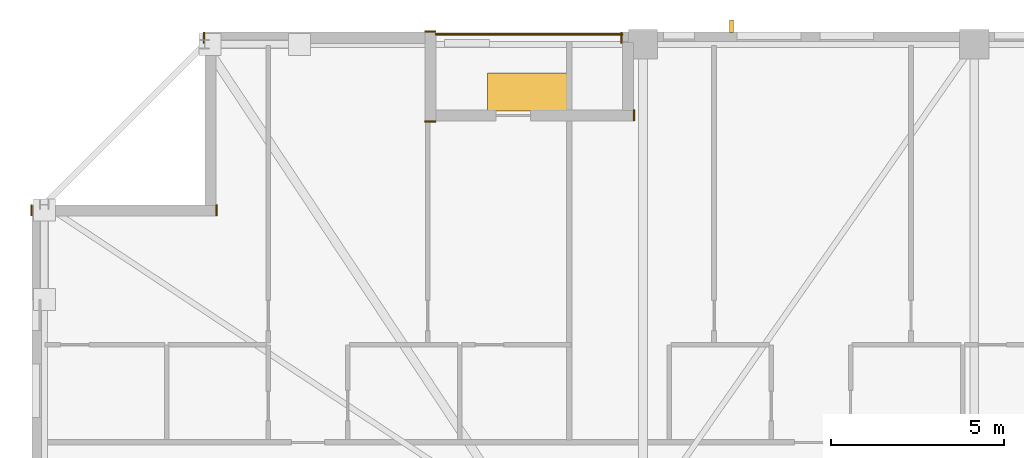
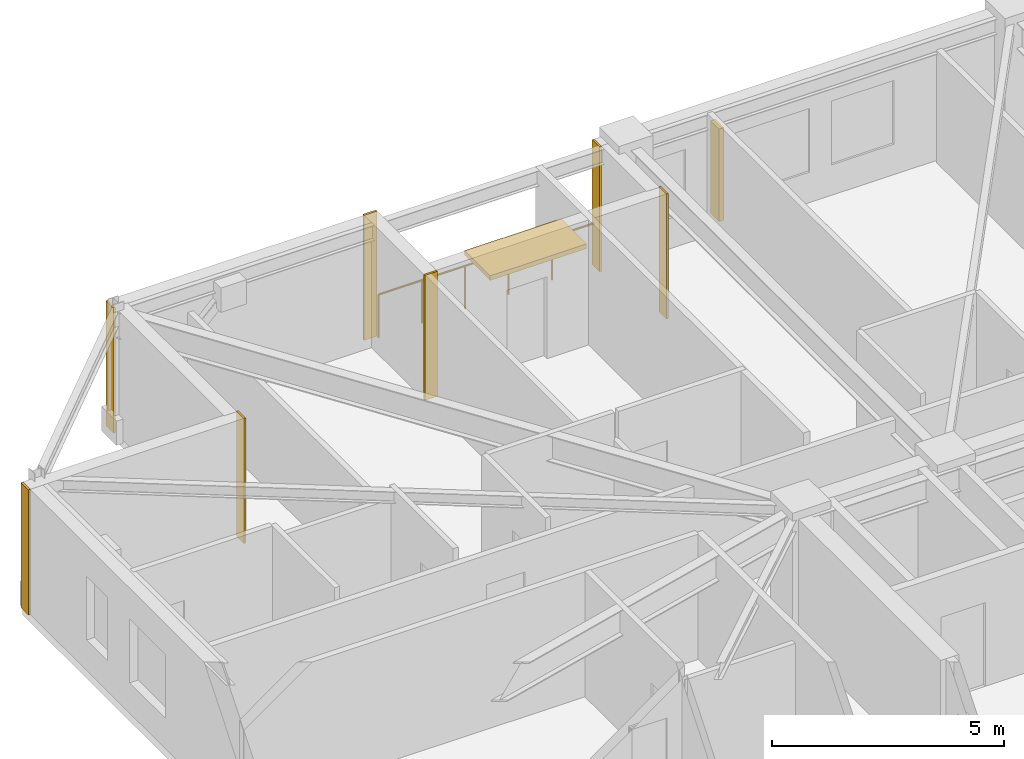
# One storey, part 16 of 17: 7 coverings, 2 shading devices, 1 railing.
"""IFC4 building model written with IfcOpenShell, lengths in metres."""

import ifcopenshell
import ifcopenshell.guid

model = None  # the IFC model being written
_history = None  # IfcOwnerHistory: only IFC2X3 demands one
_inside = {}  # id of a spatial element -> (the spatial element, [elements in it])
_under = {}  # id of a project, library or spatial element -> (it, [spatial elements below it])
_declared = {}  # id of a project -> (the project, [libraries it declares])
_typed = {}  # id of a type object -> (the type object, [elements of that type])
_made_of = {}  # id of a material, layer set ... -> (it, [elements and type objects made of it])


def new_model(schema):
    """Start an empty IFC model of exactly this schema.

    Asked for "IFC4X3", IfcOpenShell would pick the latest addendum, in which some entities
    have other attributes; the version numbers below select the first issue.
    IFC2X3 requires an IfcOwnerHistory on every rooted entity: one is made here for all.
    """
    global model, _history
    if schema == "IFC4X3":
        model = ifcopenshell.file(schema_version=(4, 3, 0, 0))
    else:
        model = ifcopenshell.file(schema=schema)
    _inside.clear()
    _under.clear()
    _declared.clear()
    _typed.clear()
    _made_of.clear()
    _history = None
    if model.schema == "IFC2X3":
        org = make("IfcOrganization", Name="unknown")
        user = make(
            "IfcPersonAndOrganization",
            ThePerson=make("IfcPerson", FamilyName="unknown"),
            TheOrganization=org,
        )
        app = make(
            "IfcApplication",
            ApplicationDeveloper=org,
            Version="unknown",
            ApplicationFullName="unknown",
            ApplicationIdentifier="unknown",
        )
        _history = make(
            "IfcOwnerHistory",
            OwningUser=user,
            OwningApplication=app,
            ChangeAction="ADDED",
            CreationDate=0,
        )
    return model


def make(cls, **values):
    """One entity of the class cls with the attributes given. An attribute that is None is left unset."""
    return model.create_entity(
        cls, **{name: value for name, value in values.items() if value is not None}
    )


def rooted(cls, **values):
    """An entity with a GlobalId (a new one), such as an element, a storey or a relation."""
    return make(cls, GlobalId=ifcopenshell.guid.new(), OwnerHistory=_history, **values)


def si_unit(unit_type, name, prefix=None):
    """IfcSIUnit, for example si_unit("LENGTHUNIT", "METRE", prefix="MILLI")."""
    return make("IfcSIUnit", UnitType=unit_type, Prefix=prefix, Name=name)


def assignment(units):
    """IfcUnitAssignment: the units of a project."""
    return None if units is None else make("IfcUnitAssignment", Units=units)


def point(xyz):
    """IfcCartesianPoint."""
    return None if xyz is None else make("IfcCartesianPoint", Coordinates=xyz)


def direction(xyz):
    """IfcDirection."""
    return None if xyz is None else make("IfcDirection", DirectionRatios=xyz)


def frame(location, z_axis=None, x_axis=None):
    """IfcAxis2Placement3D, a coordinate frame: its origin and axes. An axis left out is left unset."""
    return make(
        "IfcAxis2Placement3D",
        Location=point(location),
        Axis=direction(z_axis),
        RefDirection=direction(x_axis),
    )


def frame_2d(location, x_axis=None):
    """IfcAxis2Placement2D, a coordinate frame in the plane: its origin and x axis."""
    return make(
        "IfcAxis2Placement2D", Location=point(location), RefDirection=direction(x_axis)
    )


def origin():
    """The frame at (0, 0, 0) with its axes left unset."""
    return frame((0.0, 0.0, 0.0))


def origin_2d():
    """The frame at (0, 0) in the plane with its x axis left unset."""
    return frame_2d((0.0, 0.0))


def place(relative_to, where):
    """IfcLocalPlacement: puts the frame where relative to a parent placement (None: the world)."""
    return make(
        "IfcLocalPlacement", PlacementRelTo=relative_to, RelativePlacement=where
    )


def context(
    kind, dimensions, precision=None, world=None, true_north=None, identifier=None
):
    """IfcGeometricRepresentationContext, for example the 3D "Model" context."""
    return make(
        "IfcGeometricRepresentationContext",
        ContextIdentifier=identifier,
        ContextType=kind,
        CoordinateSpaceDimension=dimensions,
        Precision=precision,
        WorldCoordinateSystem=world,
        TrueNorth=true_north,
    )


def subcontext(parent, identifier, kind, view, scale=None):
    """IfcGeometricRepresentationSubContext, for example "Body" below "Model"."""
    return make(
        "IfcGeometricRepresentationSubContext",
        ContextIdentifier=identifier,
        ContextType=kind,
        ParentContext=parent,
        TargetScale=scale,
        TargetView=view,
    )


def project(units=None, contexts=None):
    """IfcProject with its units and contexts."""
    return rooted(
        "IfcProject",
        Name="project",
        RepresentationContexts=contexts,
        UnitsInContext=assignment(units),
    )


def spatial(cls, under=None, at=None, **own):
    """A site, building, storey or space (cls), placed at a placement, below another one or the project."""
    s = rooted(cls, ObjectPlacement=at, **own)
    if under is not None:
        _under.setdefault(under.id(), (under, []))[1].append(s)
    return s


def profile(cls, at=None, kind="AREA", **sizes):
    """A parametric profile (cls). Its sizes go by their IFC names, for example OverallWidth=200.0."""
    return make(cls, ProfileType=kind, Position=at, **sizes)


def rectangle(**sizes):
    """IfcRectangleProfileDef."""
    return profile("IfcRectangleProfileDef", **sizes)


def circle(**sizes):
    """IfcCircleProfileDef."""
    return profile("IfcCircleProfileDef", **sizes)


def extrude(swept, where, along, depth):
    """IfcExtrudedAreaSolid: the profile swept, set in the frame where, extruded along a direction by depth."""
    return make(
        "IfcExtrudedAreaSolid",
        SweptArea=swept,
        Position=where,
        ExtrudedDirection=direction(along),
        Depth=depth,
    )


def shape(context_of_items, identifier, shape_type, items):
    """IfcShapeRepresentation: the items that make up one representation, for example the "Body"."""
    return make(
        "IfcShapeRepresentation",
        ContextOfItems=context_of_items,
        RepresentationIdentifier=identifier,
        RepresentationType=shape_type,
        Items=items,
    )


def material(Name=None, Category=None):
    """IfcMaterial."""
    return make("IfcMaterial", Name=Name, Category=Category)


def layer(
    of_material, thickness, ventilated=None, Name=None, Category=None, Priority=None
):
    """IfcMaterialLayer: one layer of a wall or slab, of a material (None: an air gap)."""
    return make(
        "IfcMaterialLayer",
        Material=of_material,
        LayerThickness=thickness,
        IsVentilated=ventilated,
        Name=Name,
        Category=Category,
        Priority=Priority,
    )


def layer_set(layers, Name=None):
    """IfcMaterialLayerSet."""
    return make("IfcMaterialLayerSet", MaterialLayers=layers, LayerSetName=Name)


def made_of(thing, what):
    """Note that an element or type object is made of a material, layer set ...; save() writes the relation."""
    if what is not None:
        _made_of.setdefault(what.id(), (what, []))[1].append(thing)
    return thing


def type_object(cls, material=None, **own):
    """A type object (cls), such as IfcWallType, which elements share."""
    return made_of(rooted(cls, **own), material)


def element(
    cls,
    number,
    at=None,
    inside=None,
    cuts=None,
    type_object=None,
    material=None,
    context=None,
    identifier="Body",
    shape_type=None,
    held_by="IfcProductDefinitionShape",
    body=None,
    shapes=None,
    **own,
):
    """One element of the class cls, such as IfcWall. Its Tag is "e" and its number.

    at: its placement. inside: the storey or other place that contains it. cuts: it is an
    opening in that element (IfcRelVoidsElement). A single representation is given by context,
    identifier, shape_type and body (its items); several are given by shapes. held_by: the class
    of the entity that holds the representations. save() writes the other relations.
    """
    e = rooted(cls, Tag="e%d" % number, ObjectPlacement=at, **own)
    if body is not None:
        shapes = [shape(context, identifier, shape_type, body)]
    if shapes is not None:
        e.Representation = make(held_by, Representations=shapes)
    if inside is not None:
        _inside.setdefault(inside.id(), (inside, []))[1].append(e)
    if cuts is not None:
        rooted(
            "IfcRelVoidsElement", RelatingBuildingElement=cuts, RelatedOpeningElement=e
        )
    if type_object is not None:
        _typed.setdefault(type_object.id(), (type_object, []))[1].append(e)
    return made_of(e, material)


def aggregate(whole, parts):
    """IfcRelAggregates: a whole, such as a stair, and the parts it consists of."""
    return rooted("IfcRelAggregates", RelatingObject=whole, RelatedObjects=parts)


def save(model, path):
    """Write the relations noted so far, then the file.

    IfcRelAggregates (storeys below a building ...), IfcRelContainedInSpatialStructure (elements
    in a storey), IfcRelDefinesByType, IfcRelAssociatesMaterial and IfcRelDeclares: one each for
    every whole, place, type object, material and project.
    """
    for whole, parts in _under.values():
        aggregate(whole, parts)
    for where, things in _inside.values():
        rooted(
            "IfcRelContainedInSpatialStructure",
            RelatedElements=things,
            RelatingStructure=where,
        )
    for kind, things in _typed.values():
        rooted("IfcRelDefinesByType", RelatedObjects=things, RelatingType=kind)
    for what, things in _made_of.values():
        rooted("IfcRelAssociatesMaterial", RelatedObjects=things, RelatingMaterial=what)
    for by, libraries in _declared.values():
        rooted("IfcRelDeclares", RelatingContext=by, RelatedDefinitions=libraries)
    model.write(path)


model = new_model("IFC4")

# Units and contexts
model_context = context("Model", 3, precision=1e-05, world=origin(), true_north=direction((0.0, 1.0)))
body_context = subcontext(model_context, "Body", "Model", "MODEL_VIEW")
ifc_project = project(units=[si_unit("LENGTHUNIT", "METRE"), si_unit("AREAUNIT", "SQUARE_METRE"), si_unit("VOLUMEUNIT", "CUBIC_METRE"), si_unit("PLANEANGLEUNIT", "RADIAN"), si_unit("MASSUNIT", "GRAM", prefix="KILO")], contexts=[model_context])

# Site, building, storey
site_placement = place(None, origin())
site = spatial("IfcSite", under=ifc_project, at=site_placement, CompositionType="ELEMENT")
building_placement = place(site_placement, origin())
building = spatial("IfcBuilding", under=site, at=building_placement, Name="Cairnveth Concourse Tower", CompositionType="ELEMENT")
storey_placement = place(building_placement, frame((0.0, 0.0, 223.5)))
storey = spatial("IfcBuildingStorey", under=building, at=storey_placement, Name="L61", CompositionType="ELEMENT", Elevation=223.5)

# Coverings
ifc_material_1 = material(Name="Dressed Melbourne Bluestone Cladding", Category="masonry")
ifc_layer = layer(ifc_material_1, 0.050048828125)
ifc_layer_set = layer_set([ifc_layer], Name="Dressed Melbourne Bluestone Cladding")
covering_type = type_object("IfcCoveringType", Name="DRESSED BLUESTONE PLINTH CLADDING 50", PredefinedType="CLADDING", material=ifc_layer_set)
for number, where, z_axis, x_axis, name in (
    (1, (46.580078125, 61.179931640625, 0.0), (0.0, 0.0, 1.0), (0.0, 1.0, 0.0), "Melbourne Bluestone Corner Quoin L61-911"),
    (2, (29.47998046875, 56.179931640625, 0.0), (0.0, 0.0, 1.0), (0.0, 1.0, 0.0), "Melbourne Bluestone Corner Quoin L61-921"),
    (3, (34.840087890625, 56.179931640625, 0.0), (0.0, 0.0, 1.0), (0.0, 1.0, 0.0), "Melbourne Bluestone Corner Quoin L61-922"),
    (4, (34.47998046875, 61.179931640625, 0.0), (0.0, 0.0, 1.0), (0.0, 1.0, 0.0), "Melbourne Bluestone Corner Quoin L61-923"),
    (5, (40.8798828125, 61.52001953125, 0.0), (0.0, 0.0, 1.0), (1.0, 0.0, 0.0), "Melbourne Bluestone Corner Quoin L61-924"),
    (6, (40.8798828125, 58.909912109375, 0.0), (0.0, 0.0, 1.0), (1.0, 0.0, 0.0), "Melbourne Bluestone Corner Quoin L61-925"),
    (7, (46.93994140625, 58.929931640625, 0.0), (0.0, 0.0, 1.0), (0.0, 1.0, 0.0), "Melbourne Bluestone Corner Quoin L61-926"),
):
    element("IfcCovering", number, at=place(storey_placement, frame(where, z_axis=z_axis, x_axis=x_axis)), inside=storey, type_object=covering_type, Name=name, PredefinedType="CLADDING", context=body_context, shape_type="SweptSolid", body=[
        extrude(rectangle(XDim=0.320068359375, YDim=0.050048828125, at=frame_2d((0.16015625, 0.0))), origin(), (0.0, 0.0, 1.0), 3.2900390625),
    ])

# Shading devices
ifc_material_2 = material(Name="Architectural Bronze Anodised Aluminium 6063-T6", Category="aluminium")
shading_device_type_1 = type_object("IfcShadingDeviceType", Name="GOTHIC BRONZE VERTICAL LANCET FIN", PredefinedType="USERDEFINED", material=ifc_material_2)
shading_device_1_placement = place(storey_placement, frame((49.76513671875, 61.675048828125, 0.030029296875), z_axis=(0.0, 0.0, 1.0), x_axis=(1.0, 0.0, 0.0)))
element("IfcShadingDevice", 8, at=shading_device_1_placement, inside=storey, type_object=shading_device_type_1, Name="Gothic Bronze Vertical Fin L61-0-1", ObjectType="VERTICAL FIN", PredefinedType="USERDEFINED", context=body_context, shape_type="SweptSolid", body=[
    extrude(rectangle(XDim=0.1201171875, YDim=0.360107421875, at=origin_2d()), origin(), (0.0, 0.0, 1.0), 2.43798828125),
])
shading_device_type_2 = type_object("IfcShadingDeviceType", Name="SPIRAL TERRACE SUNSHADE CANOPY", PredefinedType="USERDEFINED", material=ifc_material_2)
shading_device_2_placement = place(storey_placement, frame((43.89990234375, 59.77001953125, 2.31787109375), z_axis=(0.0, 0.0, 1.0), x_axis=(1.0, 0.0, 0.0)))
element("IfcShadingDevice", 9, at=shading_device_2_placement, inside=storey, type_object=shading_device_type_2, Name="Spiral Terrace Sunshade L61", ObjectType="TERRACE SUNSHADE", PredefinedType="USERDEFINED", context=body_context, shape_type="SweptSolid", body=[
    extrude(rectangle(XDim=2.39990234375, YDim=1.10009765625, at=origin_2d()), origin(), (0.0, 0.0, 1.0), 0.1201171875),
])

# Railing
railing_type = type_object("IfcRailingType", Name="TERRACE BRONZE BALUSTRADE 1150", PredefinedType="BALUSTRADE", material=ifc_material_2)
railing_placement = place(storey_placement, frame((41.199951171875, 61.43994140625, 0.0)))
element("IfcRailing", 10, at=railing_placement, inside=storey, type_object=railing_type, Name="Terrace Balustrade RL-L61-TERR", PredefinedType="BALUSTRADE", context=body_context, shape_type="SweptSolid", body=[
    extrude(circle(Radius=0.02490234375, at=origin_2d()), frame((0.0, 0.0, 1.125), z_axis=(1.0, 0.0, 0.0), x_axis=(0.0, 1.0, 0.0)), (0.0, 0.0, 1.0), 5.400146484375),
    extrude(circle(Radius=0.02099609375, at=origin_2d()), origin(), (0.0, 0.0, 1.0), 1.099853515625),
    extrude(circle(Radius=0.02099609375, at=origin_2d()), frame((1.080078125, 0.0, 0.0)), (0.0, 0.0, 1.0), 1.099853515625),
    extrude(circle(Radius=0.02099609375, at=origin_2d()), frame((2.16015625, 0.0, 0.0)), (0.0, 0.0, 1.0), 1.099853515625),
    extrude(circle(Radius=0.02099609375, at=origin_2d()), frame((3.239990234375, 0.0, 0.0)), (0.0, 0.0, 1.0), 1.099853515625),
    extrude(circle(Radius=0.02099609375, at=origin_2d()), frame((4.320068359375, 0.0, 0.0)), (0.0, 0.0, 1.0), 1.099853515625),
    extrude(circle(Radius=0.02099609375, at=origin_2d()), frame((5.400146484375, 0.0, 0.0)), (0.0, 0.0, 1.0), 1.099853515625),
])

save(model, "model.ifc")
